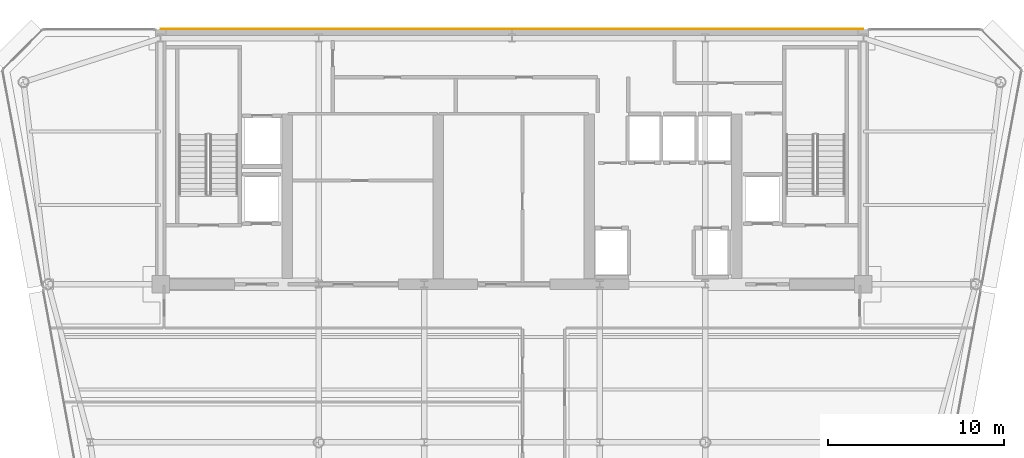
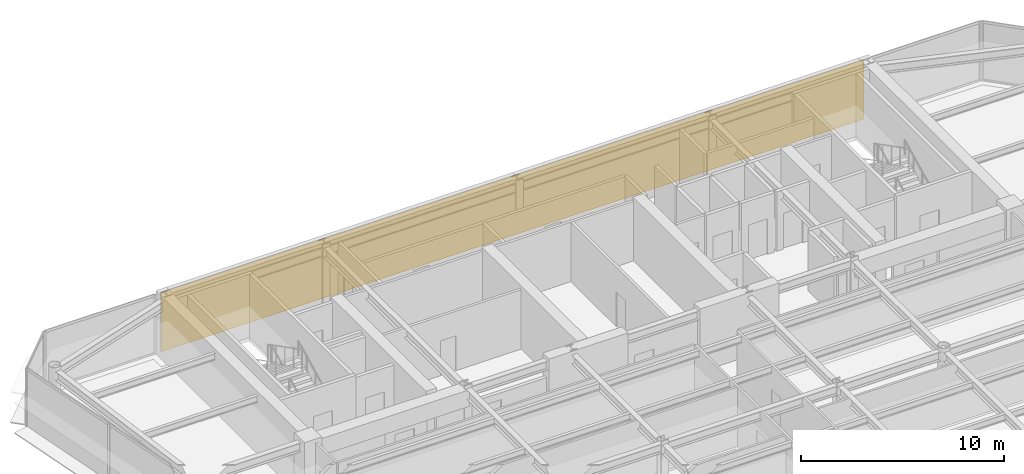
# One storey, part 16 of 17: 1 covering.
"""IFC4 building model written with IfcOpenShell, lengths in metres."""

from ifc_helpers import new_model, si_unit, direction, frame, origin, place, context, subcontext, project, spatial, polyline, outline, extrude, material, layer, layer_set, type_object, element, save


model = new_model("IFC4")

# Units and contexts
model_context = context("Model", 3, precision=1e-05, world=origin(), true_north=direction((0.0, 1.0)))
body_context = subcontext(model_context, "Body", "Model", "MODEL_VIEW")
ifc_project = project(units=[si_unit("LENGTHUNIT", "METRE"), si_unit("AREAUNIT", "SQUARE_METRE"), si_unit("VOLUMEUNIT", "CUBIC_METRE"), si_unit("PLANEANGLEUNIT", "RADIAN"), si_unit("MASSUNIT", "GRAM", prefix="KILO")], contexts=[model_context])

# Site, building, storey
site_placement = place(None, origin())
site = spatial("IfcSite", under=ifc_project, at=site_placement, CompositionType="ELEMENT")
building_placement = place(site_placement, origin())
building = spatial("IfcBuilding", under=site, at=building_placement, Name="Vaeldorn Concourse Tower", CompositionType="ELEMENT")
storey_placement = place(building_placement, frame((0.0, 0.0, 230.800048828125)))
storey = spatial("IfcBuildingStorey", under=building, at=storey_placement, Name="L59", CompositionType="ELEMENT", Elevation=230.800048828125)

# Covering
ifc_material = material(Name="Anodised Bronze Aluminium", Category="aluminium")
ifc_layer = layer(ifc_material, 0.050048828125)
ifc_layer_set = layer_set([ifc_layer], Name="Anodised Bronze Aluminium")
covering_type = type_object("IfcCoveringType", Name="COV-CLAD-BRONZE", PredefinedType="CLADDING", material=ifc_layer_set)
covering_placement = place(storey_placement, origin())
element("IfcCovering", 1, at=covering_placement, inside=storey, type_object=covering_type, Name="Rear Core Bronze Spandrel Cladding L59", PredefinedType="CLADDING", context=body_context, shape_type="SweptSolid", body=[
    extrude(outline(polyline([(14.0, 51.0), (54.0, 51.0), (54.0, 51.050048828125), (14.0, 51.050048828125), (14.0, 51.0)])), origin(), (0.0, 0.0, 1.0), 3.579833984375),
])

save(model, "model.ifc")
